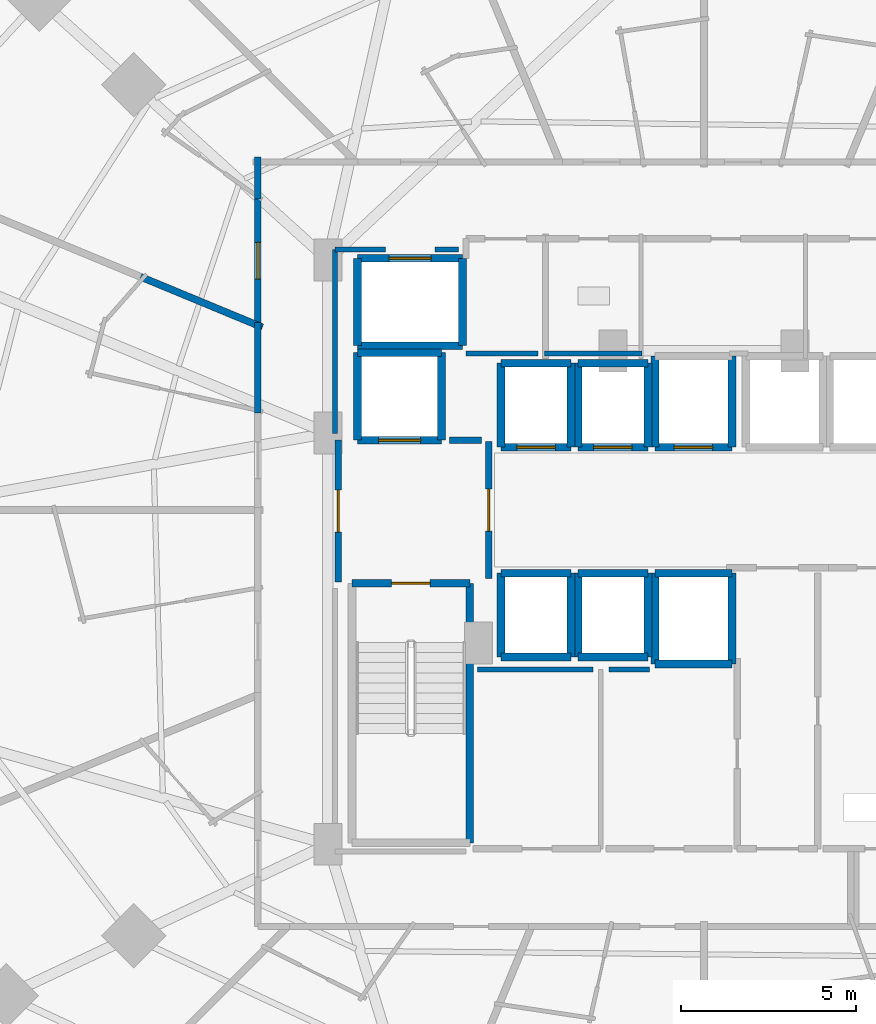
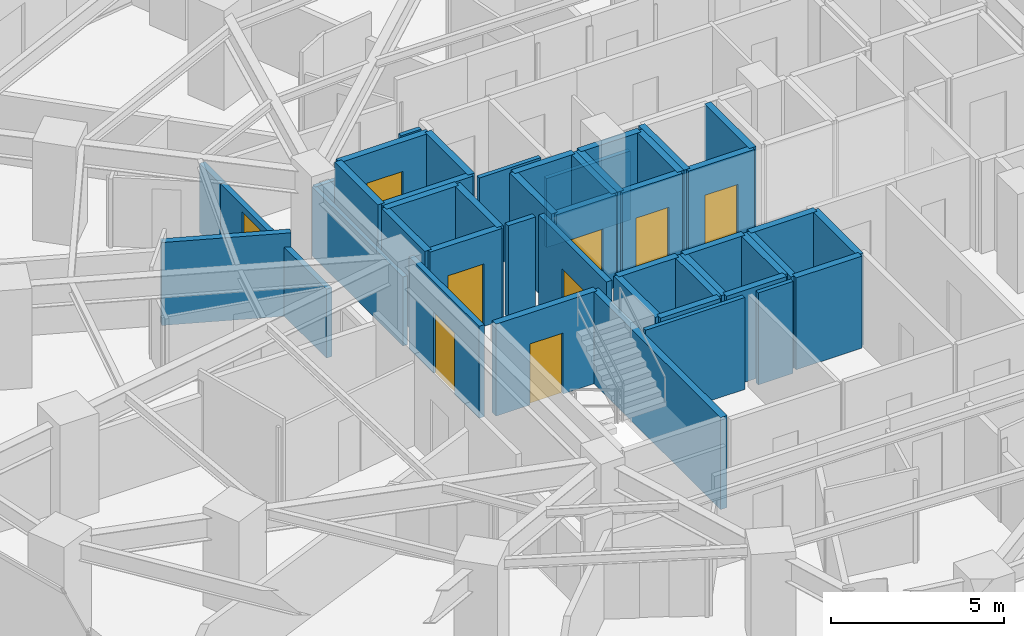
# One storey, part 27 of 34: 47 walls, 9 doors, 9 openings.
"""IFC4 building model written with IfcOpenShell, lengths in metres."""

from ifc_helpers import new_model, si_unit, direction, frame, frame_2d, origin, place, context, subcontext, project, spatial, rectangle, extrude, material, layer, layer_set, type_object, element, fill, save


model = new_model("IFC4")

# Units and contexts
model_context = context("Model", 3, precision=1e-05, world=origin(), true_north=direction((0.0, 1.0)))
body_context = subcontext(model_context, "Body", "Model", "MODEL_VIEW")
ifc_project = project(units=[si_unit("LENGTHUNIT", "METRE"), si_unit("AREAUNIT", "SQUARE_METRE"), si_unit("VOLUMEUNIT", "CUBIC_METRE"), si_unit("PLANEANGLEUNIT", "RADIAN"), si_unit("MASSUNIT", "GRAM", prefix="KILO")], contexts=[model_context])

# Site, building, storey
site_placement = place(None, origin())
site = spatial("IfcSite", under=ifc_project, at=site_placement, CompositionType="ELEMENT")
building_placement = place(site_placement, origin())
building = spatial("IfcBuilding", under=site, at=building_placement, Name="Vorneva Point Tower", CompositionType="ELEMENT")
storey_placement = place(building_placement, frame((0.0, 0.0, 27.5)))
storey = spatial("IfcBuildingStorey", under=building, at=storey_placement, Name="L06", CompositionType="ELEMENT", Elevation=27.5)

# Wall, opening, door
ifc_material_1 = material(Name="Concrete B60 (C50/60)", Category="concrete")
ifc_layer_1 = layer(ifc_material_1, 0.5)
ifc_layer_set_1 = layer_set([ifc_layer_1], Name="Concrete B60 (C50/60)")
wall_type_1 = type_object("IfcWallType", Name="WL-CORE-500", PredefinedType="SHEAR", material=ifc_layer_set_1)
wall_1_placement = place(storey_placement, frame((28.10009765625, 28.0, 0.0), z_axis=(0.0, 0.0, 1.0), x_axis=(1.0, 0.0, 0.0)))
wall_1 = element("IfcWall", 1, at=wall_1_placement, inside=storey, type_object=wall_type_1, Name="L06 Lift FFL1 Shaft Wall -Y", PredefinedType="SHEAR", context=body_context, shape_type="SweptSolid", body=[
    extrude(rectangle(XDim=2.39990234375, YDim=0.219970703125, at=frame_2d((1.199951171875, 0.0))), origin(), (0.0, 0.0, 1.0), 3.239990234375),
])
opening_1_placement = place(wall_1_placement, frame((0.60009765625, 0.0, 0.0)))
opening_1 = element("IfcOpeningElement", 2, at=opening_1_placement, cuts=wall_1, Name="Opening LD-02", PredefinedType="OPENING", context=body_context, shape_type="SweptSolid", body=[
    extrude(rectangle(XDim=1.199951171875, YDim=2.199951171875, at=frame_2d((0.60009765625, 1.10009765625))), frame((0.0, 0.125, 0.0), z_axis=(0.0, -1.0, 0.0), x_axis=(1.0, 0.0, 0.0)), (0.0, 0.0, 1.0), 0.249755859375),
])
ifc_material_2 = material(Name="Brushed stainless steel S304", Category="steel")
door_type_1 = type_object("IfcDoorType", Name="LD-FIRE-1200", OperationType="SLIDING_TO_LEFT", PredefinedType="DOOR", material=ifc_material_2)
door_1_placement = place(opening_1_placement, origin())
door_1 = element("IfcDoor", 3, at=door_1_placement, inside=storey, type_object=door_type_1, Name="L06 Lift FFL1 Sliding Landing Door", OperationType="SLIDING_TO_LEFT", OverallHeight=2.199951171875, OverallWidth=1.199951171875, PredefinedType="DOOR", context=body_context, shape_type="SweptSolid", body=[
    extrude(rectangle(XDim=1.199951171875, YDim=2.199951171875, at=frame_2d((0.60009765625, 1.10009765625))), frame((0.0, 0.02490234375, 0.0), z_axis=(0.0, -1.0, 0.0), x_axis=(1.0, 0.0, 0.0)), (0.0, 0.0, 1.0), 0.050048828125),
])
fill(opening_1, door_1)

# Walls
wall_2_placement = place(storey_placement, frame((30.5, 28.0, 0.0), z_axis=(0.0, 0.0, 1.0), x_axis=(0.0, 1.0, 0.0)))
element("IfcWall", 4, at=wall_2_placement, inside=storey, type_object=wall_type_1, Name="L06 Lift FFL1 Shaft Wall +X", PredefinedType="SHEAR", context=body_context, shape_type="SweptSolid", body=[
    extrude(rectangle(XDim=2.5, YDim=0.219970703125, at=frame_2d((1.25, 0.0))), origin(), (0.0, 0.0, 1.0), 3.239990234375),
])
wall_3_placement = place(storey_placement, frame((30.5, 30.5, 0.0), z_axis=(0.0, 0.0, 1.0), x_axis=(-1.0, 0.0, 0.0)))
element("IfcWall", 5, at=wall_3_placement, inside=storey, type_object=wall_type_1, Name="L06 Lift FFL1 Shaft Wall +Y", PredefinedType="SHEAR", context=body_context, shape_type="SweptSolid", body=[
    extrude(rectangle(XDim=2.39990234375, YDim=0.219970703125, at=frame_2d((1.199951171875, 0.0))), origin(), (0.0, 0.0, 1.0), 3.239990234375),
])
wall_4_placement = place(storey_placement, frame((28.10009765625, 30.5, 0.0), z_axis=(0.0, 0.0, 1.0), x_axis=(0.0, -1.0, 0.0)))
element("IfcWall", 6, at=wall_4_placement, inside=storey, type_object=wall_type_1, Name="L06 Lift FFL1 Shaft Wall -X", PredefinedType="SHEAR", context=body_context, shape_type="SweptSolid", body=[
    extrude(rectangle(XDim=2.5, YDim=0.219970703125, at=frame_2d((1.25, 0.0))), origin(), (0.0, 0.0, 1.0), 3.239990234375),
])
ifc_material_3 = material(Name="Fire-rated acoustic gypsum stud partition", Category="gypsum")
ifc_layer_2 = layer(ifc_material_3, 0.139892578125)
ifc_layer_set_2 = layer_set([ifc_layer_2], Name="Fire-rated acoustic gypsum stud partition")
wall_type_2 = type_object("IfcWallType", Name="WL-PART-140", PredefinedType="PARTITIONING", material=ifc_layer_set_2)
wall_5_placement = place(storey_placement, frame((31.199951171875, 30.47998046875, 0.0), z_axis=(0.0, 0.0, 1.0), x_axis=(1.0, 0.0, 0.0)))
element("IfcWall", 7, at=wall_5_placement, inside=storey, type_object=wall_type_2, Name="L06 Interior Closure Partition 109", PredefinedType="PARTITIONING", context=body_context, shape_type="SweptSolid", body=[
    extrude(rectangle(XDim=2.050048828125, YDim=0.139892578125, at=frame_2d((1.02490234375, 0.0))), origin(), (0.0, 0.0, 1.0), 3.239990234375),
])
wall_6_placement = place(storey_placement, frame((33.43994140625, 30.47998046875, 0.0), z_axis=(0.0, 0.0, 1.0), x_axis=(1.0, 0.0, 0.0)))
element("IfcWall", 8, at=wall_6_placement, inside=storey, type_object=wall_type_2, Name="L06 Interior Closure Partition 110", PredefinedType="PARTITIONING", context=body_context, shape_type="SweptSolid", body=[
    extrude(rectangle(XDim=2.7900390625, YDim=0.139892578125, at=frame_2d((1.39501953125, 0.0))), origin(), (0.0, 0.0, 1.0), 2.431884765625),
])
wall_7_placement = place(storey_placement, frame((34.830078125, 21.449951171875, 0.0), z_axis=(0.0, 0.0, 1.0), x_axis=(-1.0, 0.0, 0.0)))
element("IfcWall", 9, at=wall_7_placement, inside=storey, type_object=wall_type_2, Name="L06 Interior Closure Partition 114", PredefinedType="PARTITIONING", context=body_context, shape_type="SweptSolid", body=[
    extrude(rectangle(XDim=3.300048828125, YDim=0.139892578125, at=frame_2d((1.64990234375, 0.0))), origin(), (0.0, 0.0, 1.0), 3.239990234375),
])
wall_8_placement = place(storey_placement, frame((36.43896484375, 21.449951171875, 0.0), z_axis=(0.0, 0.0, 1.0), x_axis=(-1.0, 0.0, 0.0)))
element("IfcWall", 10, at=wall_8_placement, inside=storey, type_object=wall_type_2, Name="L06 Interior Closure Partition 115", PredefinedType="PARTITIONING", context=body_context, shape_type="SweptSolid", body=[
    extrude(rectangle(XDim=1.158935546875, YDim=0.139892578125, at=frame_2d((0.57958984375, 0.0))), origin(), (0.0, 0.0, 1.0), 3.239990234375),
])
wall_9_placement = place(storey_placement, frame((27.449951171875, 28.196044921875, 0.0), z_axis=(0.0, 0.0, 1.0), x_axis=(0.0, 1.0, 0.0)))
element("IfcWall", 11, at=wall_9_placement, inside=storey, type_object=wall_type_2, Name="L06 Interior Closure Partition 122", PredefinedType="PARTITIONING", context=body_context, shape_type="SweptSolid", body=[
    extrude(rectangle(XDim=5.25390625, YDim=0.139892578125, at=frame_2d((2.626953125, 0.0))), origin(), (0.0, 0.0, 1.0), 2.431884765625),
])
wall_10_placement = place(storey_placement, frame((27.449951171875, 33.449951171875, 0.0), z_axis=(0.0, 0.0, 1.0), x_axis=(1.0, 0.0, 0.0)))
element("IfcWall", 12, at=wall_10_placement, inside=storey, type_object=wall_type_2, Name="L06 Interior Closure Partition 123", PredefinedType="PARTITIONING", context=body_context, shape_type="SweptSolid", body=[
    extrude(rectangle(XDim=1.444091796875, YDim=0.139892578125, at=frame_2d((0.72216796875, 0.0))), origin(), (0.0, 0.0, 1.0), 2.431884765625),
])
wall_11_placement = place(storey_placement, frame((30.305908203125, 33.449951171875, 0.0), z_axis=(0.0, 0.0, 1.0), x_axis=(1.0, 0.0, 0.0)))
element("IfcWall", 13, at=wall_11_placement, inside=storey, type_object=wall_type_2, Name="L06 Interior Closure Partition 124", PredefinedType="PARTITIONING", context=body_context, shape_type="SweptSolid", body=[
    extrude(rectangle(XDim=0.674072265625, YDim=0.139892578125, at=frame_2d((0.3369140625, 0.0))), origin(), (0.0, 0.0, 1.0), 3.239990234375),
])

# Wall, opening, door
ifc_material_4 = material(Name="Autoclaved aerated concrete blockwork", Category="masonry")
ifc_layer_3 = layer(ifc_material_4, 0.179931640625)
ifc_layer_set_3 = layer_set([ifc_layer_3], Name="Autoclaved aerated concrete blockwork")
wall_type_3 = type_object("IfcWallType", Name="WL-PART-180", PredefinedType="PARTITIONING", material=ifc_layer_set_3)
wall_12_placement = place(storey_placement, frame((31.85009765625, 24.044921875, 0.0), z_axis=(0.0, 0.0, 1.0), x_axis=(0.0, 1.0, 0.0)))
wall_12 = element("IfcWall", 14, at=wall_12_placement, inside=storey, type_object=wall_type_3, Name="L06 Interior Partition 001", PredefinedType="PARTITIONING", context=body_context, shape_type="SweptSolid", body=[
    extrude(rectangle(XDim=3.91015625, YDim=0.179931640625, at=frame_2d((1.955078125, 0.0))), origin(), (0.0, 0.0, 1.0), 3.239990234375),
])
opening_2_placement = place(wall_12_placement, frame((1.35498046875, 0.0, 0.0)))
opening_2 = element("IfcOpeningElement", 15, at=opening_2_placement, cuts=wall_12, Name="Opening FD-02", PredefinedType="OPENING", context=body_context, shape_type="SweptSolid", body=[
    extrude(rectangle(XDim=1.199951171875, YDim=2.14990234375, at=frame_2d((0.60009765625, 1.074951171875))), frame((0.0, 0.10498046875, 0.0), z_axis=(0.0, -1.0, 0.0), x_axis=(1.0, 0.0, 0.0)), (0.0, 0.0, 1.0), 0.209716796875),
])
ifc_material_5 = material(Name="Fire-rated powder-coated steel", Category="steel")
door_type_2 = type_object("IfcDoorType", Name="DR-FFL-1200", OperationType="NOTDEFINED", PredefinedType="DOOR", material=ifc_material_5)
door_2_placement = place(opening_2_placement, origin())
door_2 = element("IfcDoor", 16, at=door_2_placement, inside=storey, type_object=door_type_2, Name="L06 Door West Firefighting Lobby / Central Lift Lobby", OperationType="SINGLE_SWING_RIGHT", OverallHeight=2.14990234375, OverallWidth=1.199951171875, PredefinedType="DOOR", context=body_context, shape_type="SweptSolid", body=[
    extrude(rectangle(XDim=1.199951171875, YDim=2.14990234375, at=frame_2d((0.60009765625, 1.074951171875))), frame((0.0, 0.02490234375, 0.0), z_axis=(0.0, -1.0, 0.0), x_axis=(1.0, 0.0, 0.0)), (0.0, 0.0, 1.0), 0.050048828125),
])
fill(opening_2, door_2)

wall_13_placement = place(storey_placement, frame((27.550048828125, 28.0, 0.0), z_axis=(0.0, 0.0, 1.0), x_axis=(0.0, -1.0, 0.0)))
wall_13 = element("IfcWall", 17, at=wall_13_placement, inside=storey, type_object=wall_type_3, Name="L06 Interior Partition 002", PredefinedType="PARTITIONING", context=body_context, shape_type="SweptSolid", body=[
    extrude(rectangle(XDim=4.050048828125, YDim=0.179931640625, at=frame_2d((2.02490234375, 0.0))), origin(), (0.0, 0.0, 1.0), 3.239990234375),
])
opening_3_placement = place(wall_13_placement, frame((1.425048828125, 0.0, 0.0)))
opening_3 = element("IfcOpeningElement", 18, at=opening_3_placement, cuts=wall_13, Name="Opening FD-02", PredefinedType="OPENING", context=body_context, shape_type="SweptSolid", body=[
    extrude(rectangle(XDim=1.199951171875, YDim=2.14990234375, at=frame_2d((0.60009765625, 1.074951171875))), frame((0.0, 0.10498046875, 0.0), z_axis=(0.0, -1.0, 0.0), x_axis=(1.0, 0.0, 0.0)), (0.0, 0.0, 1.0), 0.209716796875),
])
door_3_placement = place(opening_3_placement, origin())
door_3 = element("IfcDoor", 19, at=door_3_placement, inside=storey, type_object=door_type_2, Name="L06 Door West Firefighting Lobby / L06 Circulation Corridor", OperationType="SINGLE_SWING_RIGHT", OverallHeight=2.14990234375, OverallWidth=1.199951171875, PredefinedType="DOOR", context=body_context, shape_type="SweptSolid", body=[
    extrude(rectangle(XDim=1.199951171875, YDim=2.14990234375, at=frame_2d((0.60009765625, 1.074951171875))), frame((0.0, 0.02490234375, 0.0), z_axis=(0.0, -1.0, 0.0), x_axis=(1.0, 0.0, 0.0)), (0.0, 0.0, 1.0), 0.050048828125),
])
fill(opening_3, door_3)

wall_14_placement = place(storey_placement, frame((25.25, 35.033935546875, 0.0), z_axis=(0.0, 0.0, 1.0), x_axis=(0.0, -1.0, 0.0)))
wall_14 = element("IfcWall", 20, at=wall_14_placement, inside=storey, type_object=wall_type_3, Name="L06 Interior Partition 037", PredefinedType="PARTITIONING", context=body_context, shape_type="SweptSolid", body=[
    extrude(rectangle(XDim=3.81298828125, YDim=0.179931640625, at=frame_2d((1.906494140625, 0.0))), origin(), (0.0, 0.0, 1.0), 2.431884765625),
])
opening_4_placement = place(wall_14_placement, frame((1.381591796875, 0.0, 0.0)))
opening_4 = element("IfcOpeningElement", 21, at=opening_4_placement, cuts=wall_14, Name="Opening UD-02", PredefinedType="OPENING", context=body_context, shape_type="SweptSolid", body=[
    extrude(rectangle(XDim=1.050048828125, YDim=2.199951171875, at=frame_2d((0.52490234375, 1.10009765625))), frame((0.0, 0.10498046875, 0.0), z_axis=(0.0, -1.0, 0.0), x_axis=(1.0, 0.0, 0.0)), (0.0, 0.0, 1.0), 0.209716796875),
])
ifc_material_6 = material(Name="Engineered oak fire-rated door leaf", Category="wood")
door_type_3 = type_object("IfcDoorType", Name="DR-SUITE-1050", OperationType="NOTDEFINED", PredefinedType="DOOR", material=ifc_material_6)
door_4_placement = place(opening_4_placement, origin())
door_4 = element("IfcDoor", 22, at=door_4_placement, inside=storey, type_object=door_type_3, Name="L06 Door L06 Circulation Corridor / Junior Suite L06-07", OperationType="SINGLE_SWING_RIGHT", OverallHeight=2.199951171875, OverallWidth=1.050048828125, PredefinedType="DOOR", context=body_context, shape_type="SweptSolid", body=[
    extrude(rectangle(XDim=1.050048828125, YDim=2.199951171875, at=frame_2d((0.52490234375, 1.10009765625))), frame((0.0, 0.02490234375, 0.0), z_axis=(0.0, -1.0, 0.0), x_axis=(1.0, 0.0, 0.0)), (0.0, 0.0, 1.0), 0.050048828125),
])
fill(opening_4, door_4)

# Walls
wall_15_placement = place(storey_placement, frame((25.25, 36.090087890625, 0.0), z_axis=(0.0, 0.0, 1.0), x_axis=(0.0, -1.0, 0.0)))
element("IfcWall", 23, at=wall_15_placement, inside=storey, type_object=wall_type_3, Name="L06 Interior Partition 039", PredefinedType="PARTITIONING", context=body_context, shape_type="SweptSolid", body=[
    extrude(rectangle(XDim=1.196044921875, YDim=0.179931640625, at=frame_2d((0.59814453125, 0.0))), origin(), (0.0, 0.0, 1.0), 2.431884765625),
])
wall_16_placement = place(storey_placement, frame((25.25, 31.361083984375, 0.0), z_axis=(0.0, 0.0, 1.0), x_axis=(0.0, -1.0, 0.0)))
element("IfcWall", 24, at=wall_16_placement, inside=storey, type_object=wall_type_3, Name="L06 Interior Partition 041", PredefinedType="PARTITIONING", context=body_context, shape_type="SweptSolid", body=[
    extrude(rectangle(XDim=2.590087890625, YDim=0.179931640625, at=frame_2d((1.294921875, 0.0))), origin(), (0.0, 0.0, 1.0), 2.431884765625),
])
wall_17_placement = place(storey_placement, frame((31.635009765625, 28.0, 0.0), z_axis=(0.0, 0.0, 1.0), x_axis=(-1.0, 0.0, 0.0)))
element("IfcWall", 25, at=wall_17_placement, inside=storey, type_object=wall_type_3, Name="L06 Interior Closure Partition 107", PredefinedType="PARTITIONING", context=body_context, shape_type="SweptSolid", body=[
    extrude(rectangle(XDim=0.9150390625, YDim=0.179931640625, at=frame_2d((0.45751953125, 0.0))), origin(), (0.0, 0.0, 1.0), 3.239990234375),
])
ifc_layer_4 = layer(ifc_material_4, 0.199951171875)
ifc_layer_set_4 = layer_set([ifc_layer_4], Name="Autoclaved aerated concrete blockwork")
wall_type_4 = type_object("IfcWallType", Name="WL-PART-200", PredefinedType="PARTITIONING", material=ifc_layer_set_4)
wall_18_placement = place(storey_placement, frame((21.898681640625, 32.66943359375, 0.0), z_axis=(0.0, 0.0, 1.0), x_axis=(0.923843852071, -0.382769561211, 0.0)))
element("IfcWall", 26, at=wall_18_placement, inside=storey, type_object=wall_type_4, Name="L06 Interior Partition 085", PredefinedType="PARTITIONING", context=body_context, shape_type="SweptSolid", body=[
    extrude(rectangle(XDim=3.767578125, YDim=0.199951171875, at=frame_2d((1.8837890625, 0.0))), origin(), (0.0, 0.0, 1.0), 2.922119140625),
])

# Wall, opening, door
ifc_material_7 = material(Name="Concrete B50 (C40/50)", Category="concrete")
ifc_layer_5 = layer(ifc_material_7, 0.219970703125)
ifc_layer_set_5 = layer_set([ifc_layer_5], Name="Concrete B50 (C40/50)")
wall_type_5 = type_object("IfcWallType", Name="WL-SHFT-220", PredefinedType="SOLIDWALL", material=ifc_layer_set_5)
wall_19_placement = place(storey_placement, frame((27.93994140625, 23.909912109375, 0.0), z_axis=(0.0, 0.0, 1.0), x_axis=(1.0, 0.0, 0.0)))
wall_19 = element("IfcWall", 27, at=wall_19_placement, inside=storey, type_object=wall_type_5, Name="L06 Exit Stair ST1 Shaft Wall near", PredefinedType="SOLIDWALL", context=body_context, shape_type="SweptSolid", body=[
    extrude(rectangle(XDim=3.3701171875, YDim=0.219970703125, at=frame_2d((1.68505859375, 0.0))), origin(), (0.0, 0.0, 1.0), 3.239990234375),
])
opening_5_placement = place(wall_19_placement, frame((1.135009765625, 0.0, 0.0)))
opening_5 = element("IfcOpeningElement", 28, at=opening_5_placement, cuts=wall_19, Name="Opening FD-01", PredefinedType="OPENING", context=body_context, shape_type="SweptSolid", body=[
    extrude(rectangle(XDim=1.10009765625, YDim=2.14990234375, at=frame_2d((0.550048828125, 1.074951171875))), frame((0.0, 0.125, 0.0), z_axis=(0.0, -1.0, 0.0), x_axis=(1.0, 0.0, 0.0)), (0.0, 0.0, 1.0), 0.249755859375),
])
door_type_4 = type_object("IfcDoorType", Name="DR-STAIR-1100", OperationType="NOTDEFINED", PredefinedType="DOOR", material=ifc_material_5)
door_5_placement = place(opening_5_placement, origin())
door_5 = element("IfcDoor", 29, at=door_5_placement, inside=storey, type_object=door_type_4, Name="L06 Exit Stair ST1 Fire Door", OperationType="SINGLE_SWING_RIGHT", OverallHeight=2.14990234375, OverallWidth=1.10009765625, PredefinedType="DOOR", context=body_context, shape_type="SweptSolid", body=[
    extrude(rectangle(XDim=1.10009765625, YDim=2.14990234375, at=frame_2d((0.550048828125, 1.074951171875))), frame((0.0, 0.02490234375, 0.0), z_axis=(0.0, -1.0, 0.0), x_axis=(1.0, 0.0, 0.0)), (0.0, 0.0, 1.0), 0.050048828125),
])
fill(opening_5, door_5)

# Wall
wall_20_placement = place(storey_placement, frame((31.31005859375, 23.909912109375, 0.0), z_axis=(0.0, 0.0, 1.0), x_axis=(0.0, -1.0, 0.0)))
element("IfcWall", 30, at=wall_20_placement, inside=storey, type_object=wall_type_5, Name="L06 Exit Stair ST1 Shaft Wall right", PredefinedType="SOLIDWALL", context=body_context, shape_type="SweptSolid", body=[
    extrude(rectangle(XDim=7.419921875, YDim=0.219970703125, at=frame_2d((3.7099609375, 0.0))), origin(), (0.0, 0.0, 1.0), 3.239990234375),
])

# Wall, opening, door
wall_21_placement = place(storey_placement, frame((32.199951171875, 27.800048828125, 0.0), z_axis=(0.0, 0.0, 1.0), x_axis=(1.0, 0.0, 0.0)))
wall_21 = element("IfcWall", 31, at=wall_21_placement, inside=storey, type_object=wall_type_5, Name="L06 Lift PL1 Shaft Wall -Y", PredefinedType="SOLIDWALL", context=body_context, shape_type="SweptSolid", body=[
    extrude(rectangle(XDim=2.0, YDim=0.219970703125, at=frame_2d((1.0, 0.0))), origin(), (0.0, 0.0, 1.0), 3.239990234375),
])
opening_6_placement = place(wall_21_placement, frame((0.449951171875, 0.0, 0.0)))
opening_6 = element("IfcOpeningElement", 32, at=opening_6_placement, cuts=wall_21, Name="Opening LD-01", PredefinedType="OPENING", context=body_context, shape_type="SweptSolid", body=[
    extrude(rectangle(XDim=1.10009765625, YDim=2.199951171875, at=frame_2d((0.550048828125, 1.10009765625))), frame((0.0, 0.125, 0.0), z_axis=(0.0, -1.0, 0.0), x_axis=(1.0, 0.0, 0.0)), (0.0, 0.0, 1.0), 0.249755859375),
])
door_type_5 = type_object("IfcDoorType", Name="LD-PASS-1100", OperationType="SLIDING_TO_LEFT", PredefinedType="DOOR", material=ifc_material_2)
door_6_placement = place(opening_6_placement, origin())
door_6 = element("IfcDoor", 33, at=door_6_placement, inside=storey, type_object=door_type_5, Name="L06 Lift PL1 Sliding Landing Door", OperationType="SLIDING_TO_LEFT", OverallHeight=2.199951171875, OverallWidth=1.10009765625, PredefinedType="DOOR", context=body_context, shape_type="SweptSolid", body=[
    extrude(rectangle(XDim=1.10009765625, YDim=2.199951171875, at=frame_2d((0.550048828125, 1.10009765625))), frame((0.0, 0.02490234375, 0.0), z_axis=(0.0, -1.0, 0.0), x_axis=(1.0, 0.0, 0.0)), (0.0, 0.0, 1.0), 0.050048828125),
])
fill(opening_6, door_6)

# Walls
wall_22_placement = place(storey_placement, frame((34.199951171875, 27.800048828125, 0.0), z_axis=(0.0, 0.0, 1.0), x_axis=(0.0, 1.0, 0.0)))
element("IfcWall", 34, at=wall_22_placement, inside=storey, type_object=wall_type_5, Name="L06 Lift PL1 Shaft Wall +X", PredefinedType="SOLIDWALL", context=body_context, shape_type="SweptSolid", body=[
    extrude(rectangle(XDim=2.39990234375, YDim=0.219970703125, at=frame_2d((1.199951171875, 0.0))), origin(), (0.0, 0.0, 1.0), 3.239990234375),
])
wall_23_placement = place(storey_placement, frame((34.199951171875, 30.199951171875, 0.0), z_axis=(0.0, 0.0, 1.0), x_axis=(-1.0, 0.0, 0.0)))
element("IfcWall", 35, at=wall_23_placement, inside=storey, type_object=wall_type_5, Name="L06 Lift PL1 Shaft Wall +Y", PredefinedType="SOLIDWALL", context=body_context, shape_type="SweptSolid", body=[
    extrude(rectangle(XDim=2.0, YDim=0.219970703125, at=frame_2d((1.0, 0.0))), origin(), (0.0, 0.0, 1.0), 3.239990234375),
])
wall_24_placement = place(storey_placement, frame((32.199951171875, 30.199951171875, 0.0), z_axis=(0.0, 0.0, 1.0), x_axis=(0.0, -1.0, 0.0)))
element("IfcWall", 36, at=wall_24_placement, inside=storey, type_object=wall_type_5, Name="L06 Lift PL1 Shaft Wall -X", PredefinedType="SOLIDWALL", context=body_context, shape_type="SweptSolid", body=[
    extrude(rectangle(XDim=2.39990234375, YDim=0.219970703125, at=frame_2d((1.199951171875, 0.0))), origin(), (0.0, 0.0, 1.0), 3.239990234375),
])

# Wall, opening, door
wall_25_placement = place(storey_placement, frame((34.39990234375, 27.800048828125, 0.0), z_axis=(0.0, 0.0, 1.0), x_axis=(1.0, 0.0, 0.0)))
wall_25 = element("IfcWall", 37, at=wall_25_placement, inside=storey, type_object=wall_type_5, Name="L06 Lift PL2 Shaft Wall -Y", PredefinedType="SOLIDWALL", context=body_context, shape_type="SweptSolid", body=[
    extrude(rectangle(XDim=2.0, YDim=0.219970703125, at=frame_2d((1.0, 0.0))), origin(), (0.0, 0.0, 1.0), 3.239990234375),
])
opening_7_placement = place(wall_25_placement, frame((0.449951171875, 0.0, 0.0)))
opening_7 = element("IfcOpeningElement", 38, at=opening_7_placement, cuts=wall_25, Name="Opening LD-01", PredefinedType="OPENING", context=body_context, shape_type="SweptSolid", body=[
    extrude(rectangle(XDim=1.10009765625, YDim=2.199951171875, at=frame_2d((0.550048828125, 1.10009765625))), frame((0.0, 0.125, 0.0), z_axis=(0.0, -1.0, 0.0), x_axis=(1.0, 0.0, 0.0)), (0.0, 0.0, 1.0), 0.249755859375),
])
door_7_placement = place(opening_7_placement, origin())
door_7 = element("IfcDoor", 39, at=door_7_placement, inside=storey, type_object=door_type_5, Name="L06 Lift PL2 Sliding Landing Door", OperationType="SLIDING_TO_LEFT", OverallHeight=2.199951171875, OverallWidth=1.10009765625, PredefinedType="DOOR", context=body_context, shape_type="SweptSolid", body=[
    extrude(rectangle(XDim=1.10009765625, YDim=2.199951171875, at=frame_2d((0.550048828125, 1.10009765625))), frame((0.0, 0.02490234375, 0.0), z_axis=(0.0, -1.0, 0.0), x_axis=(1.0, 0.0, 0.0)), (0.0, 0.0, 1.0), 0.050048828125),
])
fill(opening_7, door_7)

# Walls
wall_26_placement = place(storey_placement, frame((36.39990234375, 27.800048828125, 0.0), z_axis=(0.0, 0.0, 1.0), x_axis=(0.0, 1.0, 0.0)))
element("IfcWall", 40, at=wall_26_placement, inside=storey, type_object=wall_type_5, Name="L06 Lift PL2 Shaft Wall +X", PredefinedType="SOLIDWALL", context=body_context, shape_type="SweptSolid", body=[
    extrude(rectangle(XDim=2.39990234375, YDim=0.219970703125, at=frame_2d((1.199951171875, 0.0))), origin(), (0.0, 0.0, 1.0), 3.239990234375),
])
wall_27_placement = place(storey_placement, frame((36.39990234375, 30.199951171875, 0.0), z_axis=(0.0, 0.0, 1.0), x_axis=(-1.0, 0.0, 0.0)))
element("IfcWall", 41, at=wall_27_placement, inside=storey, type_object=wall_type_5, Name="L06 Lift PL2 Shaft Wall +Y", PredefinedType="SOLIDWALL", context=body_context, shape_type="SweptSolid", body=[
    extrude(rectangle(XDim=2.0, YDim=0.219970703125, at=frame_2d((1.0, 0.0))), origin(), (0.0, 0.0, 1.0), 3.239990234375),
])
wall_28_placement = place(storey_placement, frame((34.39990234375, 30.199951171875, 0.0), z_axis=(0.0, 0.0, 1.0), x_axis=(0.0, -1.0, 0.0)))
element("IfcWall", 42, at=wall_28_placement, inside=storey, type_object=wall_type_5, Name="L06 Lift PL2 Shaft Wall -X", PredefinedType="SOLIDWALL", context=body_context, shape_type="SweptSolid", body=[
    extrude(rectangle(XDim=2.39990234375, YDim=0.219970703125, at=frame_2d((1.199951171875, 0.0))), origin(), (0.0, 0.0, 1.0), 3.239990234375),
])

# Wall, opening, door
wall_29_placement = place(storey_placement, frame((36.60009765625, 27.800048828125, 0.0), z_axis=(0.0, 0.0, 1.0), x_axis=(1.0, 0.0, 0.0)))
wall_29 = element("IfcWall", 43, at=wall_29_placement, inside=storey, type_object=wall_type_5, Name="L06 Lift PL3 Shaft Wall -Y", PredefinedType="SOLIDWALL", context=body_context, shape_type="SweptSolid", body=[
    extrude(rectangle(XDim=2.199951171875, YDim=0.219970703125, at=frame_2d((1.10009765625, 0.0))), origin(), (0.0, 0.0, 1.0), 3.239990234375),
])
opening_8_placement = place(wall_29_placement, frame((0.550048828125, 0.0, 0.0)))
opening_8 = element("IfcOpeningElement", 44, at=opening_8_placement, cuts=wall_29, Name="Opening LD-01", PredefinedType="OPENING", context=body_context, shape_type="SweptSolid", body=[
    extrude(rectangle(XDim=1.10009765625, YDim=2.199951171875, at=frame_2d((0.550048828125, 1.10009765625))), frame((0.0, 0.125, 0.0), z_axis=(0.0, -1.0, 0.0), x_axis=(1.0, 0.0, 0.0)), (0.0, 0.0, 1.0), 0.249755859375),
])
door_8_placement = place(opening_8_placement, origin())
door_8 = element("IfcDoor", 45, at=door_8_placement, inside=storey, type_object=door_type_5, Name="L06 Lift PL3 Sliding Landing Door", OperationType="SLIDING_TO_LEFT", OverallHeight=2.199951171875, OverallWidth=1.10009765625, PredefinedType="DOOR", context=body_context, shape_type="SweptSolid", body=[
    extrude(rectangle(XDim=1.10009765625, YDim=2.199951171875, at=frame_2d((0.550048828125, 1.10009765625))), frame((0.0, 0.02490234375, 0.0), z_axis=(0.0, -1.0, 0.0), x_axis=(1.0, 0.0, 0.0)), (0.0, 0.0, 1.0), 0.050048828125),
])
fill(opening_8, door_8)

# Walls
for number, where, z_axis, x_axis, name in (
    (46, (38.800048828125, 27.800048828125, 0.0), (0.0, 0.0, 1.0), (0.0, 1.0, 0.0), "L06 Lift PL3 Shaft Wall +X"),
    (47, (36.60009765625, 30.39990234375, 0.0), (0.0, 0.0, 1.0), (0.0, -1.0, 0.0), "L06 Lift PL3 Shaft Wall -X"),
):
    element("IfcWall", number, at=place(storey_placement, frame(where, z_axis=z_axis, x_axis=x_axis)), inside=storey, type_object=wall_type_5, Name=name, PredefinedType="SOLIDWALL", context=body_context, shape_type="SweptSolid", body=[
        extrude(rectangle(XDim=2.599853515625, YDim=0.219970703125, at=frame_2d((1.2998046875, 0.0))), origin(), (0.0, 0.0, 1.0), 3.239990234375),
    ])
wall_30_placement = place(storey_placement, frame((32.199951171875, 21.800048828125, 0.0), z_axis=(0.0, 0.0, 1.0), x_axis=(1.0, 0.0, 0.0)))
element("IfcWall", 48, at=wall_30_placement, inside=storey, type_object=wall_type_5, Name="L06 Lift PL4 Shaft Wall -Y", PredefinedType="SOLIDWALL", context=body_context, shape_type="SweptSolid", body=[
    extrude(rectangle(XDim=2.0, YDim=0.219970703125, at=frame_2d((1.0, 0.0))), origin(), (0.0, 0.0, 1.0), 3.239990234375),
])
wall_31_placement = place(storey_placement, frame((34.199951171875, 21.800048828125, 0.0), z_axis=(0.0, 0.0, 1.0), x_axis=(0.0, 1.0, 0.0)))
element("IfcWall", 49, at=wall_31_placement, inside=storey, type_object=wall_type_5, Name="L06 Lift PL4 Shaft Wall +X", PredefinedType="SOLIDWALL", context=body_context, shape_type="SweptSolid", body=[
    extrude(rectangle(XDim=2.39990234375, YDim=0.219970703125, at=frame_2d((1.199951171875, 0.0))), origin(), (0.0, 0.0, 1.0), 3.239990234375),
])
wall_32_placement = place(storey_placement, frame((34.199951171875, 24.199951171875, 0.0), z_axis=(0.0, 0.0, 1.0), x_axis=(-1.0, 0.0, 0.0)))
element("IfcWall", 50, at=wall_32_placement, inside=storey, type_object=wall_type_5, Name="L06 Lift PL4 Shaft Wall +Y", PredefinedType="SOLIDWALL", context=body_context, shape_type="SweptSolid", body=[
    extrude(rectangle(XDim=2.0, YDim=0.219970703125, at=frame_2d((1.0, 0.0))), origin(), (0.0, 0.0, 1.0), 3.239990234375),
])
wall_33_placement = place(storey_placement, frame((32.199951171875, 24.199951171875, 0.0), z_axis=(0.0, 0.0, 1.0), x_axis=(0.0, -1.0, 0.0)))
element("IfcWall", 51, at=wall_33_placement, inside=storey, type_object=wall_type_5, Name="L06 Lift PL4 Shaft Wall -X", PredefinedType="SOLIDWALL", context=body_context, shape_type="SweptSolid", body=[
    extrude(rectangle(XDim=2.39990234375, YDim=0.219970703125, at=frame_2d((1.199951171875, 0.0))), origin(), (0.0, 0.0, 1.0), 3.239990234375),
])
wall_34_placement = place(storey_placement, frame((34.39990234375, 21.800048828125, 0.0), z_axis=(0.0, 0.0, 1.0), x_axis=(1.0, 0.0, 0.0)))
element("IfcWall", 52, at=wall_34_placement, inside=storey, type_object=wall_type_5, Name="L06 Lift PL5 Shaft Wall -Y", PredefinedType="SOLIDWALL", context=body_context, shape_type="SweptSolid", body=[
    extrude(rectangle(XDim=2.0, YDim=0.219970703125, at=frame_2d((1.0, 0.0))), origin(), (0.0, 0.0, 1.0), 3.239990234375),
])
wall_35_placement = place(storey_placement, frame((36.39990234375, 21.800048828125, 0.0), z_axis=(0.0, 0.0, 1.0), x_axis=(0.0, 1.0, 0.0)))
element("IfcWall", 53, at=wall_35_placement, inside=storey, type_object=wall_type_5, Name="L06 Lift PL5 Shaft Wall +X", PredefinedType="SOLIDWALL", context=body_context, shape_type="SweptSolid", body=[
    extrude(rectangle(XDim=2.39990234375, YDim=0.219970703125, at=frame_2d((1.199951171875, 0.0))), origin(), (0.0, 0.0, 1.0), 3.239990234375),
])
wall_36_placement = place(storey_placement, frame((36.39990234375, 24.199951171875, 0.0), z_axis=(0.0, 0.0, 1.0), x_axis=(-1.0, 0.0, 0.0)))
element("IfcWall", 54, at=wall_36_placement, inside=storey, type_object=wall_type_5, Name="L06 Lift PL5 Shaft Wall +Y", PredefinedType="SOLIDWALL", context=body_context, shape_type="SweptSolid", body=[
    extrude(rectangle(XDim=2.0, YDim=0.219970703125, at=frame_2d((1.0, 0.0))), origin(), (0.0, 0.0, 1.0), 3.239990234375),
])
wall_37_placement = place(storey_placement, frame((34.39990234375, 24.199951171875, 0.0), z_axis=(0.0, 0.0, 1.0), x_axis=(0.0, -1.0, 0.0)))
element("IfcWall", 55, at=wall_37_placement, inside=storey, type_object=wall_type_5, Name="L06 Lift PL5 Shaft Wall -X", PredefinedType="SOLIDWALL", context=body_context, shape_type="SweptSolid", body=[
    extrude(rectangle(XDim=2.39990234375, YDim=0.219970703125, at=frame_2d((1.199951171875, 0.0))), origin(), (0.0, 0.0, 1.0), 3.239990234375),
])
wall_38_placement = place(storey_placement, frame((36.60009765625, 21.60009765625, 0.0), z_axis=(0.0, 0.0, 1.0), x_axis=(1.0, 0.0, 0.0)))
element("IfcWall", 56, at=wall_38_placement, inside=storey, type_object=wall_type_5, Name="L06 Lift PL6 Shaft Wall -Y", PredefinedType="SOLIDWALL", context=body_context, shape_type="SweptSolid", body=[
    extrude(rectangle(XDim=2.199951171875, YDim=0.219970703125, at=frame_2d((1.10009765625, 0.0))), origin(), (0.0, 0.0, 1.0), 3.239990234375),
])
wall_39_placement = place(storey_placement, frame((38.800048828125, 21.60009765625, 0.0), z_axis=(0.0, 0.0, 1.0), x_axis=(0.0, 1.0, 0.0)))
element("IfcWall", 57, at=wall_39_placement, inside=storey, type_object=wall_type_5, Name="L06 Lift PL6 Shaft Wall +X", PredefinedType="SOLIDWALL", context=body_context, shape_type="SweptSolid", body=[
    extrude(rectangle(XDim=2.599853515625, YDim=0.219970703125, at=frame_2d((1.2998046875, 0.0))), origin(), (0.0, 0.0, 1.0), 3.239990234375),
])
wall_40_placement = place(storey_placement, frame((38.800048828125, 24.199951171875, 0.0), z_axis=(0.0, 0.0, 1.0), x_axis=(-1.0, 0.0, 0.0)))
element("IfcWall", 58, at=wall_40_placement, inside=storey, type_object=wall_type_5, Name="L06 Lift PL6 Shaft Wall +Y", PredefinedType="SOLIDWALL", context=body_context, shape_type="SweptSolid", body=[
    extrude(rectangle(XDim=2.199951171875, YDim=0.219970703125, at=frame_2d((1.10009765625, 0.0))), origin(), (0.0, 0.0, 1.0), 3.239990234375),
])
wall_41_placement = place(storey_placement, frame((36.60009765625, 24.199951171875, 0.0), z_axis=(0.0, 0.0, 1.0), x_axis=(0.0, -1.0, 0.0)))
element("IfcWall", 59, at=wall_41_placement, inside=storey, type_object=wall_type_5, Name="L06 Lift PL6 Shaft Wall -X", PredefinedType="SOLIDWALL", context=body_context, shape_type="SweptSolid", body=[
    extrude(rectangle(XDim=2.599853515625, YDim=0.219970703125, at=frame_2d((1.2998046875, 0.0))), origin(), (0.0, 0.0, 1.0), 3.239990234375),
])
wall_42_placement = place(storey_placement, frame((28.10009765625, 30.699951171875, 0.0), z_axis=(0.0, 0.0, 1.0), x_axis=(1.0, 0.0, 0.0)))
element("IfcWall", 60, at=wall_42_placement, inside=storey, type_object=wall_type_5, Name="L06 Lift SVL1 Shaft Wall -Y", PredefinedType="SOLIDWALL", context=body_context, shape_type="SweptSolid", body=[
    extrude(rectangle(XDim=3.0, YDim=0.219970703125, at=frame_2d((1.5, 0.0))), origin(), (0.0, 0.0, 1.0), 3.239990234375),
])
wall_43_placement = place(storey_placement, frame((31.10009765625, 30.699951171875, 0.0), z_axis=(0.0, 0.0, 1.0), x_axis=(0.0, 1.0, 0.0)))
element("IfcWall", 61, at=wall_43_placement, inside=storey, type_object=wall_type_5, Name="L06 Lift SVL1 Shaft Wall +X", PredefinedType="SOLIDWALL", context=body_context, shape_type="SweptSolid", body=[
    extrude(rectangle(XDim=2.5, YDim=0.219970703125, at=frame_2d((1.25, 0.0))), origin(), (0.0, 0.0, 1.0), 3.239990234375),
])

# Wall, opening, door
wall_44_placement = place(storey_placement, frame((31.10009765625, 33.199951171875, 0.0), z_axis=(0.0, 0.0, 1.0), x_axis=(-1.0, 0.0, 0.0)))
wall_44 = element("IfcWall", 62, at=wall_44_placement, inside=storey, type_object=wall_type_5, Name="L06 Lift SVL1 Shaft Wall +Y", PredefinedType="SOLIDWALL", context=body_context, shape_type="SweptSolid", body=[
    extrude(rectangle(XDim=3.0, YDim=0.219970703125, at=frame_2d((1.5, 0.0))), origin(), (0.0, 0.0, 1.0), 3.239990234375),
])
opening_9_placement = place(wall_44_placement, frame((0.89990234375, 0.0, 0.0)))
opening_9 = element("IfcOpeningElement", 63, at=opening_9_placement, cuts=wall_44, Name="Opening LD-02", PredefinedType="OPENING", context=body_context, shape_type="SweptSolid", body=[
    extrude(rectangle(XDim=1.199951171875, YDim=2.199951171875, at=frame_2d((0.60009765625, 1.10009765625))), frame((0.0, 0.125, 0.0), z_axis=(0.0, -1.0, 0.0), x_axis=(1.0, 0.0, 0.0)), (0.0, 0.0, 1.0), 0.249755859375),
])
door_9_placement = place(opening_9_placement, origin())
door_9 = element("IfcDoor", 64, at=door_9_placement, inside=storey, type_object=door_type_1, Name="L06 Lift SVL1 Sliding Landing Door", OperationType="SLIDING_TO_LEFT", OverallHeight=2.199951171875, OverallWidth=1.199951171875, PredefinedType="DOOR", context=body_context, shape_type="SweptSolid", body=[
    extrude(rectangle(XDim=1.199951171875, YDim=2.199951171875, at=frame_2d((0.60009765625, 1.10009765625))), frame((0.0, 0.02490234375, 0.0), z_axis=(0.0, -1.0, 0.0), x_axis=(1.0, 0.0, 0.0)), (0.0, 0.0, 1.0), 0.050048828125),
])
fill(opening_9, door_9)

# Wall
wall_45_placement = place(storey_placement, frame((28.10009765625, 33.199951171875, 0.0), z_axis=(0.0, 0.0, 1.0), x_axis=(0.0, -1.0, 0.0)))
element("IfcWall", 65, at=wall_45_placement, inside=storey, type_object=wall_type_5, Name="L06 Lift SVL1 Shaft Wall -X", PredefinedType="SOLIDWALL", context=body_context, shape_type="SweptSolid", body=[
    extrude(rectangle(XDim=2.5, YDim=0.219970703125, at=frame_2d((1.25, 0.0))), origin(), (0.0, 0.0, 1.0), 3.239990234375),
])

save(model, "model.ifc")
